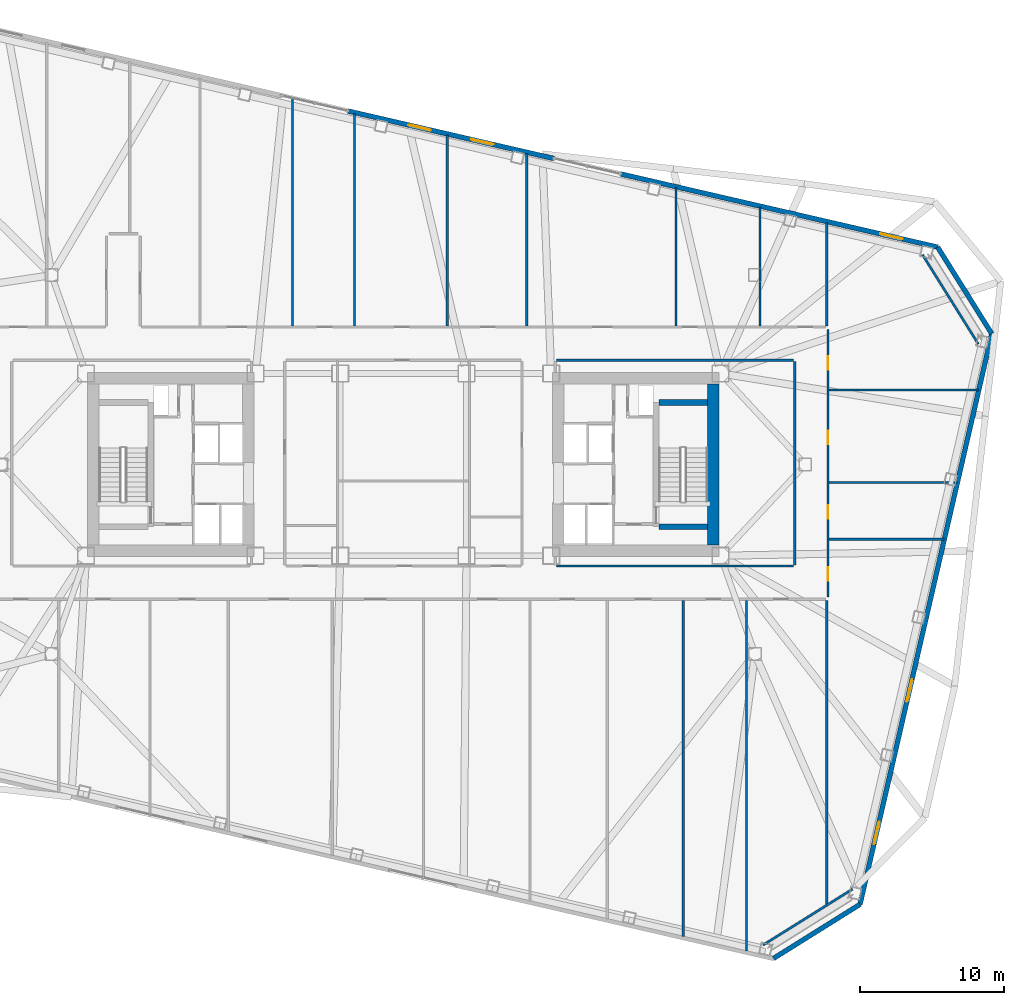
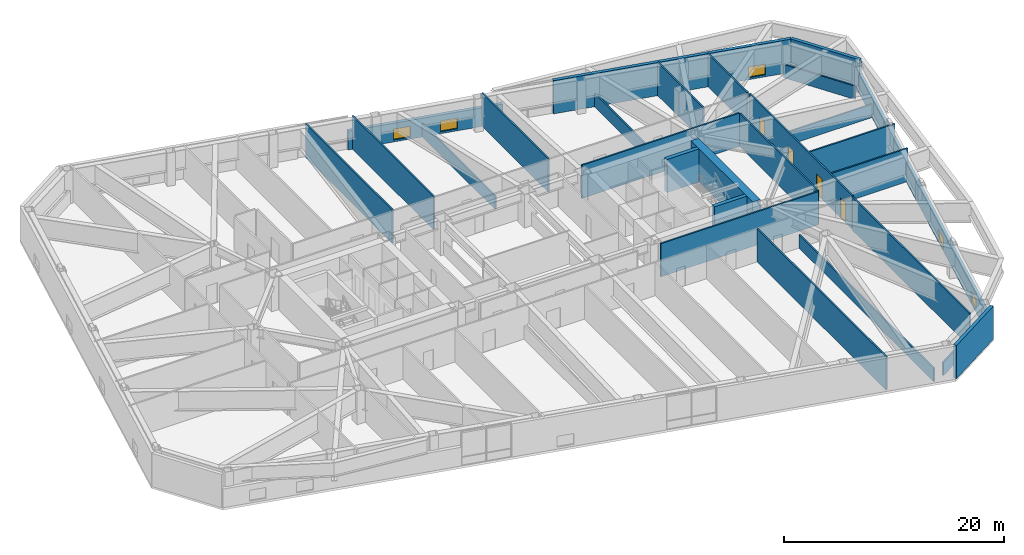
# One storey, part 13 of 19: 27 walls, 5 windows, 4 doors, 9 openings.
"""IFC4 building model written with IfcOpenShell, lengths in metres."""

from ifc_helpers import new_model, si_unit, direction, frame, frame_2d, origin, place, context, subcontext, project, spatial, rectangle, extrude, material, layer, layer_set, type_object, element, fill, save


model = new_model("IFC4")

# Units and contexts
model_context = context("Model", 3, precision=1e-05, world=origin(), true_north=direction((0.0, 1.0)))
body_context = subcontext(model_context, "Body", "Model", "MODEL_VIEW")
ifc_project = project(units=[si_unit("LENGTHUNIT", "METRE"), si_unit("AREAUNIT", "SQUARE_METRE"), si_unit("VOLUMEUNIT", "CUBIC_METRE"), si_unit("PLANEANGLEUNIT", "RADIAN"), si_unit("MASSUNIT", "GRAM", prefix="KILO")], contexts=[model_context])

# Site, building, storey
site_placement = place(None, origin())
site = spatial("IfcSite", under=ifc_project, at=site_placement, CompositionType="ELEMENT")
building_placement = place(site_placement, origin())
building = spatial("IfcBuilding", under=site, at=building_placement, Name="Tavrogorsk Clinical Tower", CompositionType="ELEMENT")
storey_placement = place(building_placement, frame((0.0, 0.0, 79.39990234375)))
storey = spatial("IfcBuildingStorey", under=building, at=storey_placement, Name="L17", CompositionType="ELEMENT", Elevation=79.39990234375)

# Walls
ifc_material_1 = material(Name="Lightweight concrete blockwork B15", Category="masonry")
ifc_layer_1 = layer(ifc_material_1, 0.159912109375)
ifc_layer_set_1 = layer_set([ifc_layer_1], Name="Lightweight concrete blockwork B15")
wall_type_1 = type_object("IfcWallType", Name="PartitionWall_160", PredefinedType="PARTITIONING", material=ifc_layer_set_1)
for number, where, z_axis, x_axis, name in (
    (1, (25.0595703125, -33.46826171875, 0.0), (0.0, 0.0, 1.0), (0.848043064089, 0.529927317139, 0.0), "L17 Corner Exoskeleton Brace Furring Wall 1"),
    (2, (40.059814453125, 8.389404296875, 0.0), (0.0, 0.0, 1.0), (-0.529927317139, 0.848043064089, 0.0), "L17 Corner Exoskeleton Brace Furring Wall 2"),
):
    element("IfcWall", number, at=place(storey_placement, frame(where, z_axis=z_axis, x_axis=x_axis)), inside=storey, type_object=wall_type_1, Name=name, PredefinedType="PARTITIONING", context=body_context, shape_type="SweptSolid", body=[
        extrude(rectangle(XDim=7.353759765625, YDim=0.159912109375, at=frame_2d((3.6767578125, 0.0))), origin(), (0.0, 0.0, 1.0), 1.47509765625),
    ])

# Wall, openings, doors
wall_1_placement = place(storey_placement, frame((29.580078125, 9.4150390625, 0.0), z_axis=(0.0, 0.0, 1.0), x_axis=(0.0, -1.0, 0.0)))
wall_1 = element("IfcWall", 3, at=wall_1_placement, inside=storey, type_object=wall_type_1, Name="L17 Corridor Partition 07", PredefinedType="PARTITIONING", context=body_context, shape_type="SweptSolid", body=[
    extrude(rectangle(XDim=18.630126953125, YDim=0.159912109375, at=frame_2d((9.31494140625, 0.0))), origin(), (0.0, 0.0, 1.0), 3.68017578125),
])
opening_1_placement = place(wall_1_placement, frame((16.560791015625, 0.0, 0.0)))
opening_1 = element("IfcOpeningElement", 4, at=opening_1_placement, cuts=wall_1, Name="Opening ID-02", PredefinedType="OPENING", context=body_context, shape_type="SweptSolid", body=[
    extrude(rectangle(XDim=0.949951171875, YDim=2.199951171875, at=frame_2d((0.47509765625, 1.10009765625))), frame((0.0, 0.08984375, 0.0), z_axis=(0.0, -1.0, 0.0), x_axis=(1.0, 0.0, 0.0)), (0.0, 0.0, 1.0), 0.179931640625),
])
opening_2_placement = place(wall_1_placement, frame((12.25, 0.0, 0.0)))
opening_2 = element("IfcOpeningElement", 5, at=opening_2_placement, cuts=wall_1, Name="Opening ID-02", PredefinedType="OPENING", context=body_context, shape_type="SweptSolid", body=[
    extrude(rectangle(XDim=0.949951171875, YDim=2.199951171875, at=frame_2d((0.47509765625, 1.10009765625))), frame((0.0, 0.08984375, 0.0), z_axis=(0.0, -1.0, 0.0), x_axis=(1.0, 0.0, 0.0)), (0.0, 0.0, 1.0), 0.179931640625),
])
opening_3_placement = place(wall_1_placement, frame((7.050048828125, 0.0, 0.0)))
opening_3 = element("IfcOpeningElement", 6, at=opening_3_placement, cuts=wall_1, Name="Opening ID-02", PredefinedType="OPENING", context=body_context, shape_type="SweptSolid", body=[
    extrude(rectangle(XDim=0.949951171875, YDim=2.199951171875, at=frame_2d((0.47509765625, 1.10009765625))), frame((0.0, 0.08984375, 0.0), z_axis=(0.0, -1.0, 0.0), x_axis=(1.0, 0.0, 0.0)), (0.0, 0.0, 1.0), 0.179931640625),
])
opening_4_placement = place(wall_1_placement, frame((1.869140625, 0.0, 0.0)))
opening_4 = element("IfcOpeningElement", 7, at=opening_4_placement, cuts=wall_1, Name="Opening ID-02", PredefinedType="OPENING", context=body_context, shape_type="SweptSolid", body=[
    extrude(rectangle(XDim=0.949951171875, YDim=2.199951171875, at=frame_2d((0.47509765625, 1.10009765625))), frame((0.0, 0.08984375, 0.0), z_axis=(0.0, -1.0, 0.0), x_axis=(1.0, 0.0, 0.0)), (0.0, 0.0, 1.0), 0.179931640625),
])
ifc_material_2 = material(Name="Laminated timber leaf on aluminium frame", Category="wood")
door_type = type_object("IfcDoorType", Name="InteriorDoor_ID02_950", OperationType="NOTDEFINED", PredefinedType="DOOR", material=ifc_material_2)
door_1_placement = place(opening_1_placement, origin())
door_1 = element("IfcDoor", 8, at=door_1_placement, inside=storey, type_object=door_type, Name="L17 E Senior Clinician Suite 1 Door", OperationType="SINGLE_SWING_LEFT", OverallHeight=2.199951171875, OverallWidth=0.949951171875, PredefinedType="DOOR", context=body_context, shape_type="SweptSolid", body=[
    extrude(rectangle(XDim=0.949951171875, YDim=2.199951171875, at=frame_2d((0.47509765625, 1.10009765625))), frame((0.0, 0.02490234375, 0.0), z_axis=(0.0, -1.0, 0.0), x_axis=(1.0, 0.0, 0.0)), (0.0, 0.0, 1.0), 0.050048828125),
])
fill(opening_1, door_1)
door_2_placement = place(opening_2_placement, origin())
door_2 = element("IfcDoor", 9, at=door_2_placement, inside=storey, type_object=door_type, Name="L17 E Multidisciplinary Seminar Suite 2 Door", OperationType="SINGLE_SWING_RIGHT", OverallHeight=2.199951171875, OverallWidth=0.949951171875, PredefinedType="DOOR", context=body_context, shape_type="SweptSolid", body=[
    extrude(rectangle(XDim=0.949951171875, YDim=2.199951171875, at=frame_2d((0.47509765625, 1.10009765625))), frame((0.0, 0.02490234375, 0.0), z_axis=(0.0, -1.0, 0.0), x_axis=(1.0, 0.0, 0.0)), (0.0, 0.0, 1.0), 0.050048828125),
])
fill(opening_2, door_2)
door_3_placement = place(opening_3_placement, origin())
door_3 = element("IfcDoor", 10, at=door_3_placement, inside=storey, type_object=door_type, Name="L17 E Specialist Consultation Room 3 Door", OperationType="SINGLE_SWING_LEFT", OverallHeight=2.199951171875, OverallWidth=0.949951171875, PredefinedType="DOOR", context=body_context, shape_type="SweptSolid", body=[
    extrude(rectangle(XDim=0.949951171875, YDim=2.199951171875, at=frame_2d((0.47509765625, 1.10009765625))), frame((0.0, 0.02490234375, 0.0), z_axis=(0.0, -1.0, 0.0), x_axis=(1.0, 0.0, 0.0)), (0.0, 0.0, 1.0), 0.050048828125),
])
fill(opening_3, door_3)
door_4_placement = place(opening_4_placement, origin())
door_4 = element("IfcDoor", 11, at=door_4_placement, inside=storey, type_object=door_type, Name="L17 E Clinical Fellows' Study 4 Door", OperationType="SINGLE_SWING_RIGHT", OverallHeight=2.199951171875, OverallWidth=0.949951171875, PredefinedType="DOOR", context=body_context, shape_type="SweptSolid", body=[
    extrude(rectangle(XDim=0.949951171875, YDim=2.199951171875, at=frame_2d((0.47509765625, 1.10009765625))), frame((0.0, 0.02490234375, 0.0), z_axis=(0.0, -1.0, 0.0), x_axis=(1.0, 0.0, 0.0)), (0.0, 0.0, 1.0), 0.050048828125),
])
fill(opening_4, door_4)

# Walls
for number, where, z_axis, x_axis, name in (
    (12, (27.18505859375, 7.27001953125, 0.0), (0.0, 0.0, 1.0), (-1.0, 0.0, 0.0), "L17 Corridor Partition 09"),
    (13, (10.6650390625, -7.070068359375, 0.0), (0.0, 0.0, 1.0), (1.0, 0.0, 0.0), "L17 Corridor Partition 12"),
):
    element("IfcWall", number, at=place(storey_placement, frame(where, z_axis=z_axis, x_axis=x_axis)), inside=storey, type_object=wall_type_1, Name=name, PredefinedType="PARTITIONING", context=body_context, shape_type="SweptSolid", body=[
        extrude(rectangle(XDim=16.52001953125, YDim=0.159912109375, at=frame_2d((8.260009765625, 0.0))), origin(), (0.0, 0.0, 1.0), 3.68017578125),
    ])
wall_2_placement = place(storey_placement, frame((27.27001953125, -6.985107421875, 0.0), z_axis=(0.0, 0.0, 1.0), x_axis=(0.0, 1.0, 0.0)))
element("IfcWall", 14, at=wall_2_placement, inside=storey, type_object=wall_type_1, Name="L17 Corridor Partition 13", PredefinedType="PARTITIONING", context=body_context, shape_type="SweptSolid", body=[
    extrude(rectangle(XDim=14.170166015625, YDim=0.159912109375, at=frame_2d((7.0849609375, 0.0))), origin(), (0.0, 0.0, 1.0), 3.68017578125),
])
wall_3_placement = place(storey_placement, frame((29.5, 9.6650390625, 0.0), z_axis=(0.0, 0.0, 1.0), x_axis=(0.0, 1.0, 0.0)))
element("IfcWall", 15, at=wall_3_placement, inside=storey, type_object=wall_type_1, Name="L17 NE Wing Closure Partition", PredefinedType="PARTITIONING", context=body_context, shape_type="SweptSolid", body=[
    extrude(rectangle(XDim=7.197265625, YDim=0.159912109375, at=frame_2d((3.5986328125, 0.0))), origin(), (0.0, 0.0, 1.0), 3.68017578125),
])
wall_4_placement = place(storey_placement, frame((29.5, -30.702880859375, 0.0), z_axis=(0.0, 0.0, 1.0), x_axis=(0.0, 1.0, 0.0)))
element("IfcWall", 16, at=wall_4_placement, inside=storey, type_object=wall_type_1, Name="L17 SE Wing Closure Partition", PredefinedType="PARTITIONING", context=body_context, shape_type="SweptSolid", body=[
    extrude(rectangle(XDim=21.23779296875, YDim=0.159912109375, at=frame_2d((10.618896484375, 0.0))), origin(), (0.0, 0.0, 1.0), 3.68017578125),
])
wall_5_placement = place(storey_placement, frame((-3.39990234375, 9.6650390625, 0.0), z_axis=(0.0, 0.0, 1.0), x_axis=(0.0, 1.0, 0.0)))
element("IfcWall", 17, at=wall_5_placement, inside=storey, type_object=wall_type_1, Name="L17 North Room Partition 3", PredefinedType="PARTITIONING", context=body_context, shape_type="SweptSolid", body=[
    extrude(rectangle(XDim=14.79296875, YDim=0.159912109375, at=frame_2d((7.396484375, 0.0))), origin(), (0.0, 0.0, 1.0), 3.68017578125),
])
wall_6_placement = place(storey_placement, frame((8.60009765625, 9.6650390625, 0.0), z_axis=(0.0, 0.0, 1.0), x_axis=(0.0, 1.0, 0.0)))
element("IfcWall", 18, at=wall_6_placement, inside=storey, type_object=wall_type_1, Name="L17 North Room Partition 4", PredefinedType="PARTITIONING", context=body_context, shape_type="SweptSolid", body=[
    extrude(rectangle(XDim=12.0224609375, YDim=0.159912109375, at=frame_2d((6.01123046875, 0.0))), origin(), (0.0, 0.0, 1.0), 3.68017578125),
])
wall_7_placement = place(storey_placement, frame((19.0, 9.6650390625, 0.0), z_axis=(0.0, 0.0, 1.0), x_axis=(0.0, 1.0, 0.0)))
element("IfcWall", 19, at=wall_7_placement, inside=storey, type_object=wall_type_1, Name="L17 North Room Partition 5", PredefinedType="PARTITIONING", context=body_context, shape_type="SweptSolid", body=[
    extrude(rectangle(XDim=9.62158203125, YDim=0.159912109375, at=frame_2d((4.810791015625, 0.0))), origin(), (0.0, 0.0, 1.0), 1.47509765625),
])
wall_8_placement = place(storey_placement, frame((24.85009765625, 9.6650390625, 0.0), z_axis=(0.0, 0.0, 1.0), x_axis=(0.0, 1.0, 0.0)))
element("IfcWall", 20, at=wall_8_placement, inside=storey, type_object=wall_type_1, Name="L17 North Room Partition 6", PredefinedType="PARTITIONING", context=body_context, shape_type="SweptSolid", body=[
    extrude(rectangle(XDim=8.270751953125, YDim=0.159912109375, at=frame_2d((4.13525390625, 0.0))), origin(), (0.0, 0.0, 1.0), 3.68017578125),
])
wall_9_placement = place(storey_placement, frame((-7.719970703125, 9.6650390625, 0.0), z_axis=(0.0, 0.0, 1.0), x_axis=(0.0, 1.0, 0.0)))
element("IfcWall", 21, at=wall_9_placement, inside=storey, type_object=wall_type_1, Name="L17 North Sub-Partition 3", PredefinedType="PARTITIONING", context=body_context, shape_type="SweptSolid", body=[
    extrude(rectangle(XDim=15.790283203125, YDim=0.159912109375, at=frame_2d((7.89501953125, 0.0))), origin(), (0.0, 0.0, 1.0), 3.68017578125),
])
wall_10_placement = place(storey_placement, frame((3.050048828125, 9.6650390625, 0.0), z_axis=(0.0, 0.0, 1.0), x_axis=(0.0, 1.0, 0.0)))
element("IfcWall", 22, at=wall_10_placement, inside=storey, type_object=wall_type_1, Name="L17 North Sub-Partition 4", PredefinedType="PARTITIONING", context=body_context, shape_type="SweptSolid", body=[
    extrude(rectangle(XDim=13.3037109375, YDim=0.159912109375, at=frame_2d((6.65185546875, 0.0))), origin(), (0.0, 0.0, 1.0), 1.47509765625),
])
wall_11_placement = place(storey_placement, frame((23.89990234375, -33.89892578125, 0.0), z_axis=(0.0, 0.0, 1.0), x_axis=(0.0, 1.0, 0.0)))
element("IfcWall", 23, at=wall_11_placement, inside=storey, type_object=wall_type_1, Name="L17 South Room Partition 5", PredefinedType="PARTITIONING", context=body_context, shape_type="SweptSolid", body=[
    extrude(rectangle(XDim=24.433837890625, YDim=0.159912109375, at=frame_2d((12.216796875, 0.0))), origin(), (0.0, 0.0, 1.0), 1.47509765625),
])
wall_12_placement = place(storey_placement, frame((19.5, -32.883056640625, 0.0), z_axis=(0.0, 0.0, 1.0), x_axis=(0.0, 1.0, 0.0)))
element("IfcWall", 24, at=wall_12_placement, inside=storey, type_object=wall_type_1, Name="L17 South Sub-Partition 5", PredefinedType="PARTITIONING", context=body_context, shape_type="SweptSolid", body=[
    extrude(rectangle(XDim=23.41796875, YDim=0.159912109375, at=frame_2d((11.708984375, 0.0))), origin(), (0.0, 0.0, 1.0), 3.68017578125),
])
wall_13_placement = place(storey_placement, frame((29.6650390625, -5.199951171875, 0.0), z_axis=(0.0, 0.0, 1.0), x_axis=(1.0, 0.0, 0.0)))
element("IfcWall", 25, at=wall_13_placement, inside=storey, type_object=wall_type_1, Name="L17 E Wing Divider 1", PredefinedType="PARTITIONING", context=body_context, shape_type="SweptSolid", body=[
    extrude(rectangle(XDim=8.007080078125, YDim=0.159912109375, at=frame_2d((4.00341796875, 0.0))), origin(), (0.0, 0.0, 1.0), 3.68017578125),
])
wall_14_placement = place(storey_placement, frame((29.6650390625, -1.25, 0.0), z_axis=(0.0, 0.0, 1.0), x_axis=(1.0, 0.0, 0.0)))
element("IfcWall", 26, at=wall_14_placement, inside=storey, type_object=wall_type_1, Name="L17 E Wing Divider 2", PredefinedType="PARTITIONING", context=body_context, shape_type="SweptSolid", body=[
    extrude(rectangle(XDim=8.9189453125, YDim=0.159912109375, at=frame_2d((4.45947265625, 0.0))), origin(), (0.0, 0.0, 1.0), 3.68017578125),
])
wall_15_placement = place(storey_placement, frame((29.6650390625, 5.199951171875, 0.0), z_axis=(0.0, 0.0, 1.0), x_axis=(1.0, 0.0, 0.0)))
element("IfcWall", 27, at=wall_15_placement, inside=storey, type_object=wall_type_1, Name="L17 E Wing Divider 3", PredefinedType="PARTITIONING", context=body_context, shape_type="SweptSolid", body=[
    extrude(rectangle(XDim=10.408203125, YDim=0.159912109375, at=frame_2d((5.2041015625, 0.0))), origin(), (0.0, 0.0, 1.0), 1.47509765625),
])

# Wall, opening, window
ifc_material_3 = material(Name="Precast concrete B45 with limestone cladding", Category="masonry")
ifc_layer_2 = layer(ifc_material_3, 0.340087890625)
ifc_layer_set_2 = layer_set([ifc_layer_2], Name="Precast concrete B45 with limestone cladding")
wall_type_2 = type_object("IfcWallType", Name="PrecastLimestoneWall_340", PredefinedType="STANDARD", material=ifc_layer_set_2)
wall_16_placement = place(storey_placement, frame((37.228515625, 15.14990234375, 0.0), z_axis=(0.0, 0.0, 1.0), x_axis=(-0.97436993772, 0.224951604723, 0.0)))
wall_16 = element("IfcWall", 28, at=wall_16_placement, inside=storey, type_object=wall_type_2, Name="L17 N Limestone Facade Wall 1", PredefinedType="STANDARD", context=body_context, shape_type="SweptSolid", body=[
    extrude(rectangle(XDim=22.6513671875, YDim=0.340087890625, at=frame_2d((11.32568359375, 0.0))), origin(), (0.0, 0.0, 1.0), 3.68017578125),
])
opening_5_placement = place(wall_16_placement, frame((2.51220703125, 0.0, 0.219970703125)))
opening_5 = element("IfcOpeningElement", 29, at=opening_5_placement, cuts=wall_16, Name="Opening WN-09", PredefinedType="OPENING", context=body_context, shape_type="SweptSolid", body=[
    extrude(rectangle(XDim=1.60009765625, YDim=1.199951171875, at=frame_2d((0.800048828125, 0.60009765625))), frame((0.0, 0.179931640625, 0.0), z_axis=(0.0, -1.0, 0.0), x_axis=(1.0, 0.0, 0.0)), (0.0, 0.0, 1.0), 0.360107421875),
])
ifc_material_4 = material(Name="Thermally broken aluminium frame and triple IGU", Category="aluminium")
window_type = type_object("IfcWindowType", Name="LowHeadTransWin_1600x1200", PartitioningType="DOUBLE_PANEL_VERTICAL", PredefinedType="WINDOW", material=ifc_material_4)
window_1_placement = place(opening_5_placement, origin())
window_1 = element("IfcWindow", 30, at=window_1_placement, inside=storey, type_object=window_type, Name="L17 N Chicago Window 10", OverallHeight=1.199951171875, OverallWidth=1.60009765625, PartitioningType="SINGLE_PANEL", PredefinedType="WINDOW", context=body_context, shape_type="SweptSolid", body=[
    extrude(rectangle(XDim=1.60009765625, YDim=1.199951171875, at=frame_2d((0.800048828125, 0.60009765625))), frame((0.0, 0.030029296875, 0.0), z_axis=(0.0, -1.0, 0.0), x_axis=(1.0, 0.0, 0.0)), (0.0, 0.0, 1.0), 0.06005859375),
])
fill(opening_5, window_1)

# Wall, openings, windows
wall_17_placement = place(storey_placement, frame((10.480712890625, 21.3251953125, 0.0), z_axis=(0.0, 0.0, 1.0), x_axis=(-0.974369353393, 0.2249541357, 0.0)))
wall_17 = element("IfcWall", 31, at=wall_17_placement, inside=storey, type_object=wall_type_2, Name="L17 N Limestone Facade Wall 2", PredefinedType="STANDARD", context=body_context, shape_type="SweptSolid", body=[
    extrude(rectangle(XDim=14.697021484375, YDim=0.340087890625, at=frame_2d((7.3486328125, 0.0))), origin(), (0.0, 0.0, 1.0), 2.0751953125),
])
opening_6_placement = place(wall_17_placement, frame((8.790771484375, 0.0, 0.219970703125)))
opening_6 = element("IfcOpeningElement", 32, at=opening_6_placement, cuts=wall_17, Name="Opening WN-09", PredefinedType="OPENING", context=body_context, shape_type="SweptSolid", body=[
    extrude(rectangle(XDim=1.60009765625, YDim=1.199951171875, at=frame_2d((0.800048828125, 0.60009765625))), frame((0.0, 0.179931640625, 0.0), z_axis=(0.0, -1.0, 0.0), x_axis=(1.0, 0.0, 0.0)), (0.0, 0.0, 1.0), 0.360107421875),
])
opening_7_placement = place(wall_17_placement, frame((4.306396484375, 0.0, 0.219970703125)))
opening_7 = element("IfcOpeningElement", 33, at=opening_7_placement, cuts=wall_17, Name="Opening WN-09", PredefinedType="OPENING", context=body_context, shape_type="SweptSolid", body=[
    extrude(rectangle(XDim=1.60009765625, YDim=1.199951171875, at=frame_2d((0.800048828125, 0.60009765625))), frame((0.0, 0.179931640625, 0.0), z_axis=(0.0, -1.0, 0.0), x_axis=(1.0, 0.0, 0.0)), (0.0, 0.0, 1.0), 0.360107421875),
])
window_2_placement = place(opening_6_placement, origin())
window_2 = element("IfcWindow", 34, at=window_2_placement, inside=storey, type_object=window_type, Name="L17 N Chicago Window 05", OverallHeight=1.199951171875, OverallWidth=1.60009765625, PartitioningType="SINGLE_PANEL", PredefinedType="WINDOW", context=body_context, shape_type="SweptSolid", body=[
    extrude(rectangle(XDim=1.60009765625, YDim=1.199951171875, at=frame_2d((0.800048828125, 0.60009765625))), frame((0.0, 0.030029296875, 0.0), z_axis=(0.0, -1.0, 0.0), x_axis=(1.0, 0.0, 0.0)), (0.0, 0.0, 1.0), 0.06005859375),
])
fill(opening_6, window_2)
window_3_placement = place(opening_7_placement, origin())
window_3 = element("IfcWindow", 35, at=window_3_placement, inside=storey, type_object=window_type, Name="L17 N Chicago Window 06", OverallHeight=1.199951171875, OverallWidth=1.60009765625, PartitioningType="SINGLE_PANEL", PredefinedType="WINDOW", context=body_context, shape_type="SweptSolid", body=[
    extrude(rectangle(XDim=1.60009765625, YDim=1.199951171875, at=frame_2d((0.800048828125, 0.60009765625))), frame((0.0, 0.030029296875, 0.0), z_axis=(0.0, -1.0, 0.0), x_axis=(1.0, 0.0, 0.0)), (0.0, 0.0, 1.0), 0.06005859375),
])
fill(opening_7, window_3)

wall_18_placement = place(storey_placement, frame((31.820068359375, -30.636962890625, 0.0), z_axis=(0.0, 0.0, 1.0), x_axis=(0.224949969076, 0.974370315338, 0.0)))
wall_18 = element("IfcWall", 36, at=wall_18_placement, inside=storey, type_object=wall_type_2, Name="L17 E Pleated Limestone Wing Wall", PredefinedType="STANDARD", context=body_context, shape_type="SweptSolid", body=[
    extrude(rectangle(XDim=40.800048828125, YDim=0.340087890625, at=frame_2d((20.39990234375, 0.0))), origin(), (0.0, 0.0, 1.0), 2.0751953125),
])
opening_8_placement = place(wall_18_placement, frame((4.300048828125, 0.0, 0.219970703125)))
opening_8 = element("IfcOpeningElement", 37, at=opening_8_placement, cuts=wall_18, Name="Opening WN-09", PredefinedType="OPENING", context=body_context, shape_type="SweptSolid", body=[
    extrude(rectangle(XDim=1.60009765625, YDim=1.199951171875, at=frame_2d((0.800048828125, 0.60009765625))), frame((0.0, 0.179931640625, 0.0), z_axis=(0.0, -1.0, 0.0), x_axis=(1.0, 0.0, 0.0)), (0.0, 0.0, 1.0), 0.360107421875),
])
opening_9_placement = place(wall_18_placement, frame((14.5, 0.0, 0.219970703125)))
opening_9 = element("IfcOpeningElement", 38, at=opening_9_placement, cuts=wall_18, Name="Opening WN-09", PredefinedType="OPENING", context=body_context, shape_type="SweptSolid", body=[
    extrude(rectangle(XDim=1.60009765625, YDim=1.199951171875, at=frame_2d((0.800048828125, 0.60009765625))), frame((0.0, 0.179931640625, 0.0), z_axis=(0.0, -1.0, 0.0), x_axis=(1.0, 0.0, 0.0)), (0.0, 0.0, 1.0), 0.360107421875),
])
window_4_placement = place(opening_8_placement, origin())
window_4 = element("IfcWindow", 39, at=window_4_placement, inside=storey, type_object=window_type, Name="L17 E Pleat Slot Window 1", OverallHeight=1.199951171875, OverallWidth=1.60009765625, PartitioningType="SINGLE_PANEL", PredefinedType="WINDOW", context=body_context, shape_type="SweptSolid", body=[
    extrude(rectangle(XDim=1.60009765625, YDim=1.199951171875, at=frame_2d((0.800048828125, 0.60009765625))), frame((0.0, 0.030029296875, 0.0), z_axis=(0.0, -1.0, 0.0), x_axis=(1.0, 0.0, 0.0)), (0.0, 0.0, 1.0), 0.06005859375),
])
fill(opening_8, window_4)
window_5_placement = place(opening_9_placement, origin())
window_5 = element("IfcWindow", 40, at=window_5_placement, inside=storey, type_object=window_type, Name="L17 E Pleat Slot Window 2", OverallHeight=1.199951171875, OverallWidth=1.60009765625, PartitioningType="SINGLE_PANEL", PredefinedType="WINDOW", context=body_context, shape_type="SweptSolid", body=[
    extrude(rectangle(XDim=1.60009765625, YDim=1.199951171875, at=frame_2d((0.800048828125, 0.60009765625))), frame((0.0, 0.030029296875, 0.0), z_axis=(0.0, -1.0, 0.0), x_axis=(1.0, 0.0, 0.0)), (0.0, 0.0, 1.0), 0.06005859375),
])
fill(opening_9, window_5)

# Walls
for number, where, z_axis, x_axis, name in (
    (41, (25.78759765625, -34.406494140625, 0.0), (0.0, 0.0, 1.0), (0.848046504656, 0.529921811158, 0.0), "L17 Chamfered Corner Wall 1"),
    (42, (40.998046875, 9.117431640625, 0.0), (0.0, 0.0, 1.0), (-0.529921811158, 0.848046504656, 0.0), "L17 Chamfered Corner Wall 2"),
):
    element("IfcWall", number, at=place(storey_placement, frame(where, z_axis=z_axis, x_axis=x_axis)), inside=storey, type_object=wall_type_2, Name=name, PredefinedType="STANDARD", context=body_context, shape_type="SweptSolid", body=[
        extrude(rectangle(XDim=7.11328125, YDim=0.340087890625, at=frame_2d((3.556640625, 0.0))), origin(), (0.0, 0.0, 1.0), 3.68017578125),
    ])
ifc_material_5 = material(Name="Concrete B80", Category="concrete")
ifc_layer_3 = layer(ifc_material_5, 0.39990234375)
ifc_layer_set_3 = layer_set([ifc_layer_3], Name="Concrete B80")
wall_type_3 = type_object("IfcWallType", Name="ShearWall_400", PredefinedType="SHEAR", material=ifc_layer_set_3)
for number, where, z_axis, x_axis, name in (
    (43, (17.800048828125, -4.324951171875, 0.0), (0.0, 0.0, 1.0), (1.0, 0.0, 0.0), "L17 Core East Stair Shaft South Shear Wall"),
    (44, (17.800048828125, 4.324951171875, 0.0), (0.0, 0.0, 1.0), (1.0, 0.0, 0.0), "L17 Core East Stair Shaft North Shear Wall"),
):
    element("IfcWall", number, at=place(storey_placement, frame(where, z_axis=z_axis, x_axis=x_axis)), inside=storey, type_object=wall_type_3, Name=name, PredefinedType="SHEAR", context=body_context, shape_type="SweptSolid", body=[
        extrude(rectangle(XDim=3.39990234375, YDim=0.39990234375, at=frame_2d((1.699951171875, 0.0))), origin(), (0.0, 0.0, 1.0), 3.68017578125),
    ])
ifc_material_6 = material(Name="Concrete B80", Category="concrete")
ifc_layer_4 = layer(ifc_material_6, 0.800048828125)
ifc_layer_set_4 = layer_set([ifc_layer_4], Name="Concrete B80")
wall_type_4 = type_object("IfcWallType", Name="ShearWall_800", PredefinedType="SHEAR", material=ifc_layer_set_4)
wall_19_placement = place(storey_placement, frame((21.60009765625, -5.60009765625, 0.0), z_axis=(0.0, 0.0, 1.0), x_axis=(0.0, 1.0, 0.0)))
element("IfcWall", 45, at=wall_19_placement, inside=storey, type_object=wall_type_4, Name="L17 Core East End Shear Wall", PredefinedType="SHEAR", context=body_context, shape_type="SweptSolid", body=[
    extrude(rectangle(XDim=11.2001953125, YDim=0.800048828125, at=frame_2d((5.60009765625, 0.0))), origin(), (0.0, 0.0, 1.0), 3.68017578125),
])

save(model, "model.ifc")
